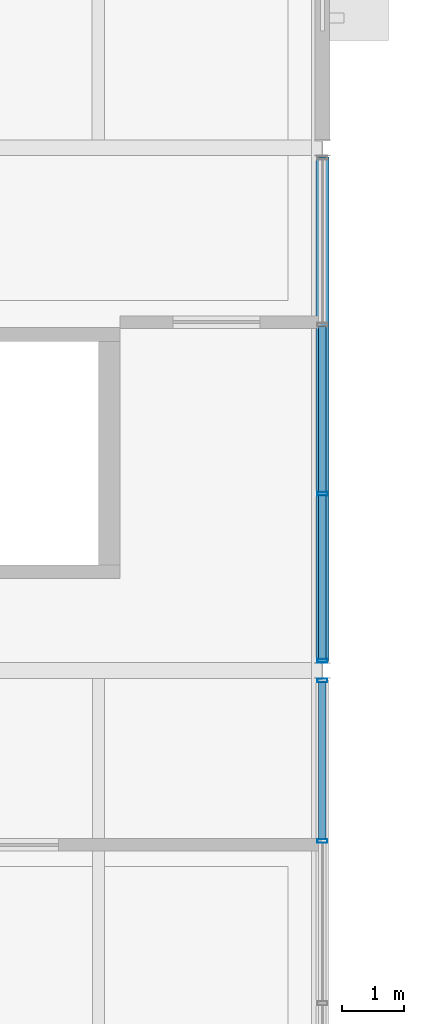
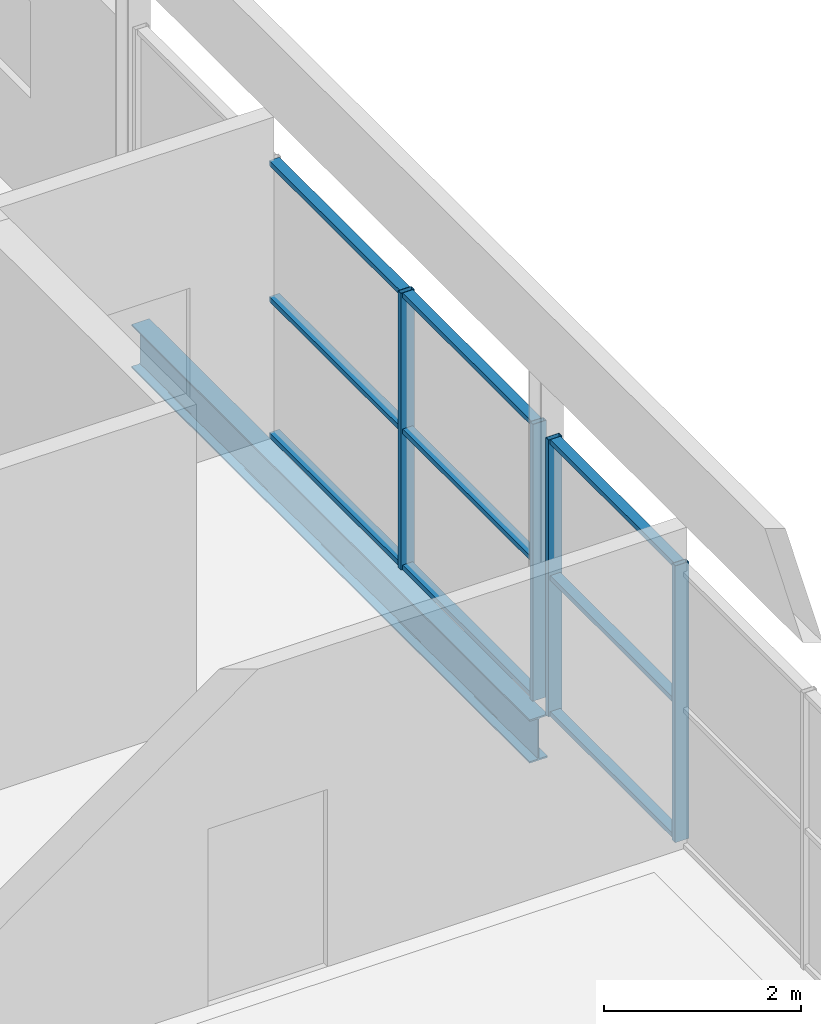
# One storey, part 27 of 43: 13 members, 1 beam, 2 elements without a shape of their own.
"""IFC4 building model written with IfcOpenShell, lengths in metres."""

from ifc_helpers import new_model, si_unit, direction, frame, origin, origin_2d, place, context, subcontext, project, spatial, hollow_rectangle, i_section, extrude, material, material_profile, profile_set, type_object, element, aggregate, save


model = new_model("IFC4")

# Units and contexts
model_context = context("Model", 3, precision=1e-05, world=origin(), true_north=direction((0.0, 1.0)))
body_context = subcontext(model_context, "Body", "Model", "MODEL_VIEW")
ifc_project = project(units=[si_unit("LENGTHUNIT", "METRE"), si_unit("AREAUNIT", "SQUARE_METRE"), si_unit("VOLUMEUNIT", "CUBIC_METRE"), si_unit("PLANEANGLEUNIT", "RADIAN"), si_unit("MASSUNIT", "GRAM", prefix="KILO"), si_unit("THERMODYNAMICTEMPERATUREUNIT", "KELVIN")], contexts=[model_context])

# Site, building, storey
site_placement = place(None, origin())
site = spatial("IfcSite", under=ifc_project, at=site_placement, CompositionType="ELEMENT")
building_placement = place(site_placement, origin())
building = spatial("IfcBuilding", under=site, at=building_placement, Name="Nduvali Passage Aquatics Centre", CompositionType="ELEMENT")
storey_placement = place(building_placement, frame((0.0, 0.0, 17.39990234375)))
storey = spatial("IfcBuildingStorey", under=building, at=storey_placement, Name="L04", CompositionType="ELEMENT", Elevation=17.39990234375)

# Curtain wall, members
ifc_material_1 = material(Name="Aluminium EN AW-6063 T6", Category="aluminium")
curtain_wall_type = type_object("IfcCurtainWallType", Name="ENV-CW-PASS", PredefinedType="NOTDEFINED", material=ifc_material_1)
curtain_wall_1_placement = place(storey_placement, origin())
curtain_wall_1 = element("IfcCurtainWall", 1, at=curtain_wall_1_placement, inside=storey, type_object=curtain_wall_type, Name="L04 East Passage Wellness CW 120", PredefinedType="NOTDEFINED")
ifc_material_profile_1 = material_profile(ifc_material_1, hollow_rectangle(XDim=0.06005859375, YDim=0.159912109375, WallThickness=0.00390625, at=origin_2d()), Name="ALU MULLION 60x160x4")
ifc_profile_set_1 = profile_set([ifc_material_profile_1], Name="Aluminium EN AW-6063 T6")
member_type_1 = type_object("IfcMemberType", Name="ENV-MEM-MUL60", PredefinedType="MULLION", material=ifc_profile_set_1)
member_1_placement = place(storey_placement, frame((126.0, 98.063232421875, 0.0), z_axis=(0.0, 0.0, 1.0), x_axis=(0.0, 1.0, 0.0)))
member_1 = element("IfcMember", 2, at=member_1_placement, type_object=member_type_1, Name="East Passage Wellness CW Mullion 3", PredefinedType="MULLION", context=body_context, shape_type="SweptSolid", body=[
    extrude(hollow_rectangle(XDim=0.06005859375, YDim=0.159912109375, WallThickness=0.00390625, at=origin_2d()), origin(), (0.0, 0.0, 1.0), 3.4365234375),
])
member_2_placement = place(storey_placement, frame((126.0, 100.639892578125, 0.0), z_axis=(0.0, 0.0, 1.0), x_axis=(0.0, 1.0, 0.0)))
member_2 = element("IfcMember", 3, at=member_2_placement, type_object=member_type_1, Name="East Passage Wellness CW Mullion 4", PredefinedType="MULLION", context=body_context, shape_type="SweptSolid", body=[
    extrude(hollow_rectangle(XDim=0.06005859375, YDim=0.159912109375, WallThickness=0.00390625, at=origin_2d()), origin(), (0.0, 0.0, 1.0), 3.4365234375),
])

curtain_wall_2_placement = place(storey_placement, origin())
curtain_wall_2 = element("IfcCurtainWall", 4, at=curtain_wall_2_placement, inside=storey, type_object=curtain_wall_type, Name="L04 East Passage Wellness CW 124", PredefinedType="NOTDEFINED")
member_3_placement = place(storey_placement, frame((126.0, 100.9599609375, 0.0), z_axis=(0.0, 0.0, 1.0), x_axis=(0.0, 1.0, 0.0)))
member_3 = element("IfcMember", 5, at=member_3_placement, type_object=member_type_1, Name="East Passage Wellness CW Mullion 1", PredefinedType="MULLION", context=body_context, shape_type="SweptSolid", body=[
    extrude(hollow_rectangle(XDim=0.06005859375, YDim=0.159912109375, WallThickness=0.00390625, at=origin_2d()), origin(), (0.0, 0.0, 1.0), 3.4365234375),
])
member_4_placement = place(storey_placement, frame((126.0, 103.643310546875, 0.0), z_axis=(0.0, 0.0, 1.0), x_axis=(0.0, 1.0, 0.0)))
member_4 = element("IfcMember", 6, at=member_4_placement, type_object=member_type_1, Name="East Passage Wellness CW Mullion 2", PredefinedType="MULLION", context=body_context, shape_type="SweptSolid", body=[
    extrude(hollow_rectangle(XDim=0.06005859375, YDim=0.159912109375, WallThickness=0.00390625, at=origin_2d()), origin(), (0.0, 0.0, 1.0), 3.4365234375),
])

# Member
ifc_material_profile_2 = material_profile(ifc_material_1, hollow_rectangle(XDim=0.1201171875, YDim=0.06005859375, WallThickness=0.00390625, at=origin_2d()), Name="ALU TRANSOM 120x60x4")
ifc_profile_set_2 = profile_set([ifc_material_profile_2], Name="Aluminium EN AW-6063 T6")
member_type_2 = type_object("IfcMemberType", Name="ENV-MEM-TRN60", PredefinedType="USERDEFINED", material=ifc_profile_set_2)
member_5_placement = place(storey_placement, frame((126.0, 98.09326171875, 0.030029296875), z_axis=(0.0, 1.0, 0.0), x_axis=(-1.0, 0.0, 0.0)))
member_5 = element("IfcMember", 7, at=member_5_placement, type_object=member_type_2, Name="East Passage Wellness CW Transom B3-R0", ObjectType="TRANSOM", PredefinedType="USERDEFINED", context=body_context, shape_type="SweptSolid", body=[
    extrude(hollow_rectangle(XDim=0.1201171875, YDim=0.06005859375, WallThickness=0.00390625, at=origin_2d()), origin(), (0.0, 0.0, 1.0), 2.516845703125),
])

member_6_placement = place(storey_placement, frame((126.0, 98.09326171875, 1.71826171875), z_axis=(0.0, 1.0, 0.0), x_axis=(-1.0, 0.0, 0.0)))
member_6 = element("IfcMember", 8, at=member_6_placement, type_object=member_type_2, Name="East Passage Wellness CW Transom B3-R1", ObjectType="TRANSOM", PredefinedType="USERDEFINED", context=body_context, shape_type="SweptSolid", body=[
    extrude(hollow_rectangle(XDim=0.1201171875, YDim=0.06005859375, WallThickness=0.00390625, at=origin_2d()), origin(), (0.0, 0.0, 1.0), 2.516845703125),
])

member_7_placement = place(storey_placement, frame((126.0, 98.09326171875, 3.406494140625), z_axis=(0.0, 1.0, 0.0), x_axis=(-1.0, 0.0, 0.0)))
member_7 = element("IfcMember", 9, at=member_7_placement, type_object=member_type_2, Name="East Passage Wellness CW Transom B3-R2", ObjectType="TRANSOM", PredefinedType="USERDEFINED", context=body_context, shape_type="SweptSolid", body=[
    extrude(hollow_rectangle(XDim=0.1201171875, YDim=0.06005859375, WallThickness=0.00390625, at=origin_2d()), origin(), (0.0, 0.0, 1.0), 2.516845703125),
])

aggregate(curtain_wall_1, [member_1, member_2, member_5, member_6, member_7])

member_8_placement = place(storey_placement, frame((126.0, 100.989990234375, 0.030029296875), z_axis=(0.0, 1.0, 0.0), x_axis=(-1.0, 0.0, 0.0)))
member_8 = element("IfcMember", 10, at=member_8_placement, type_object=member_type_2, Name="East Passage Wellness CW Transom B1-R0", ObjectType="TRANSOM", PredefinedType="USERDEFINED", context=body_context, shape_type="SweptSolid", body=[
    extrude(hollow_rectangle(XDim=0.1201171875, YDim=0.06005859375, WallThickness=0.00390625, at=origin_2d()), origin(), (0.0, 0.0, 1.0), 2.623291015625),
])

member_9_placement = place(storey_placement, frame((126.0, 100.989990234375, 1.71826171875), z_axis=(0.0, 1.0, 0.0), x_axis=(-1.0, 0.0, 0.0)))
member_9 = element("IfcMember", 11, at=member_9_placement, type_object=member_type_2, Name="East Passage Wellness CW Transom B1-R1", ObjectType="TRANSOM", PredefinedType="USERDEFINED", context=body_context, shape_type="SweptSolid", body=[
    extrude(hollow_rectangle(XDim=0.1201171875, YDim=0.06005859375, WallThickness=0.00390625, at=origin_2d()), origin(), (0.0, 0.0, 1.0), 2.623291015625),
])

member_10_placement = place(storey_placement, frame((126.0, 100.989990234375, 3.406494140625), z_axis=(0.0, 1.0, 0.0), x_axis=(-1.0, 0.0, 0.0)))
member_10 = element("IfcMember", 12, at=member_10_placement, type_object=member_type_2, Name="East Passage Wellness CW Transom B1-R2", ObjectType="TRANSOM", PredefinedType="USERDEFINED", context=body_context, shape_type="SweptSolid", body=[
    extrude(hollow_rectangle(XDim=0.1201171875, YDim=0.06005859375, WallThickness=0.00390625, at=origin_2d()), origin(), (0.0, 0.0, 1.0), 2.623291015625),
])

member_11_placement = place(storey_placement, frame((126.0, 103.67333984375, 0.030029296875), z_axis=(0.0, 1.0, 0.0), x_axis=(-1.0, 0.0, 0.0)))
member_11 = element("IfcMember", 13, at=member_11_placement, type_object=member_type_2, Name="East Passage Wellness CW Transom B2-R0", ObjectType="TRANSOM", PredefinedType="USERDEFINED", context=body_context, shape_type="SweptSolid", body=[
    extrude(hollow_rectangle(XDim=0.1201171875, YDim=0.06005859375, WallThickness=0.00390625, at=origin_2d()), origin(), (0.0, 0.0, 1.0), 2.6533203125),
])

member_12_placement = place(storey_placement, frame((126.0, 103.67333984375, 1.71826171875), z_axis=(0.0, 1.0, 0.0), x_axis=(-1.0, 0.0, 0.0)))
member_12 = element("IfcMember", 14, at=member_12_placement, type_object=member_type_2, Name="East Passage Wellness CW Transom B2-R1", ObjectType="TRANSOM", PredefinedType="USERDEFINED", context=body_context, shape_type="SweptSolid", body=[
    extrude(hollow_rectangle(XDim=0.1201171875, YDim=0.06005859375, WallThickness=0.00390625, at=origin_2d()), origin(), (0.0, 0.0, 1.0), 2.6533203125),
])

member_13_placement = place(storey_placement, frame((126.0, 103.67333984375, 3.406494140625), z_axis=(0.0, 1.0, 0.0), x_axis=(-1.0, 0.0, 0.0)))
member_13 = element("IfcMember", 15, at=member_13_placement, type_object=member_type_2, Name="East Passage Wellness CW Transom B2-R2", ObjectType="TRANSOM", PredefinedType="USERDEFINED", context=body_context, shape_type="SweptSolid", body=[
    extrude(hollow_rectangle(XDim=0.1201171875, YDim=0.06005859375, WallThickness=0.00390625, at=origin_2d()), origin(), (0.0, 0.0, 1.0), 2.6533203125),
])

aggregate(curtain_wall_2, [member_3, member_4, member_8, member_9, member_10, member_11, member_12, member_13])

# Beam
ifc_material_2 = material(Name="Steel S355", Category="steel")
ifc_material_profile_3 = material_profile(ifc_material_2, i_section(OverallWidth=0.210693359375, OverallDepth=0.53955078125, WebThickness=0.01171875, FlangeThickness=0.018798828125, FilletRadius=0.0126953125, at=origin_2d()), Name="UKB 533x210x109")
ifc_profile_set_3 = profile_set([ifc_material_profile_3], Name="Steel S355")
beam_type = type_object("IfcBeamType", Name="STR-BM-UKB533-EXT", PredefinedType="BEAM", material=ifc_profile_set_3)
beam_placement = place(storey_placement, frame((126.0, 100.949951171875, -0.503662109375), z_axis=(0.0, 1.0, 0.0), x_axis=(-1.0, 0.0, 0.0)))
element("IfcBeam", 16, at=beam_placement, inside=storey, type_object=beam_type, Name="L04 Primary Y-Girder B6E-1395", PredefinedType="BEAM", context=body_context, shape_type="SweptSolid", body=[
    extrude(i_section(OverallWidth=0.210693359375, OverallDepth=0.53955078125, WebThickness=0.01171875, FlangeThickness=0.018798828125, FilletRadius=0.0126953125, at=origin_2d()), origin(), (0.0, 0.0, 1.0), 8.10009765625),
])

save(model, "model.ifc")
